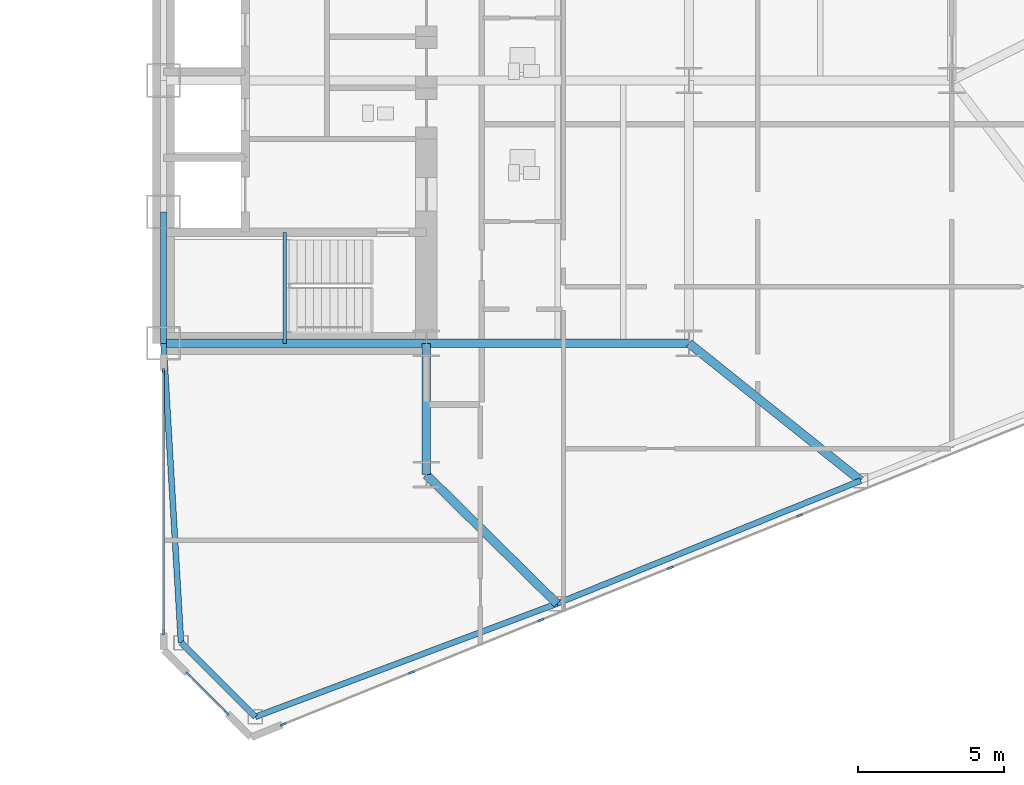
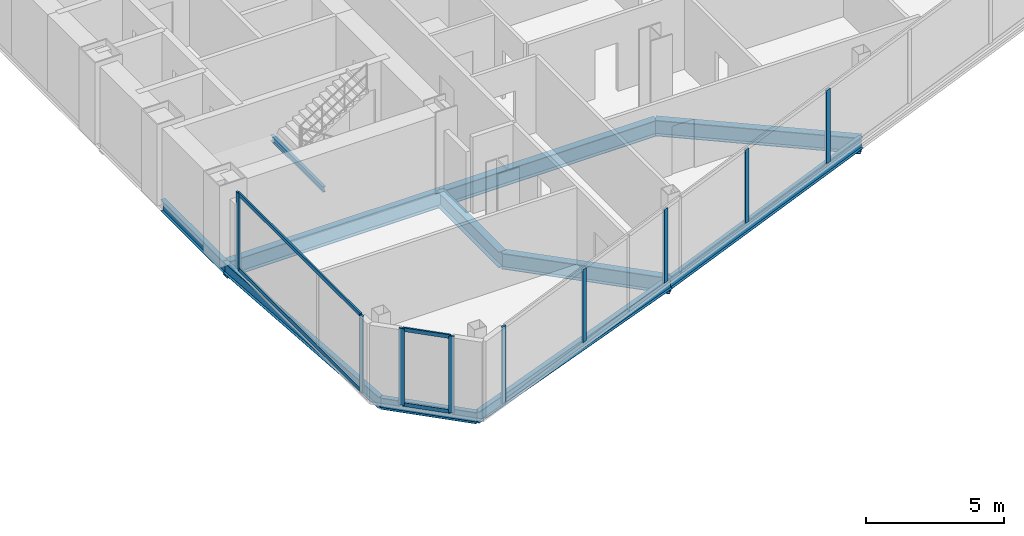
# One storey, part 9 of 25: 13 members, 11 beams, 3 elements without a shape of their own.
"""IFC4 building model written with IfcOpenShell, lengths in metres."""

from ifc_helpers import new_model, si_unit, direction, frame, origin, origin_2d, place, context, subcontext, project, spatial, rectangle, i_section, extrude, source, transform, mapped, material, layer, layer_set, material_profile, profile_set, type_object, type_shapes, element, aggregate, save


model = new_model("IFC4")

# Units and contexts
model_context = context("Model", 3, precision=1e-05, world=origin(), true_north=direction((0.0, 1.0)))
body_context = subcontext(model_context, "Body", "Model", "MODEL_VIEW")
ifc_project = project(units=[si_unit("LENGTHUNIT", "METRE"), si_unit("AREAUNIT", "SQUARE_METRE"), si_unit("VOLUMEUNIT", "CUBIC_METRE"), si_unit("PLANEANGLEUNIT", "RADIAN"), si_unit("MASSUNIT", "GRAM", prefix="KILO")], contexts=[model_context])

# Site, building, storey
site_placement = place(None, origin())
site = spatial("IfcSite", under=ifc_project, at=site_placement, CompositionType="ELEMENT")
building_placement = place(site_placement, origin())
building = spatial("IfcBuilding", under=site, at=building_placement, Name="Seokmaru Belvedere", CompositionType="ELEMENT")
storey_placement = place(building_placement, frame((0.0, 0.0, 33.300048828125)))
storey = spatial("IfcBuildingStorey", under=building, at=storey_placement, Name="L08", CompositionType="ELEMENT", Elevation=33.300048828125)

# Beams
ifc_material_1 = material(Name="Steel SM355 (355 MPa)", Category="steel")
ifc_material_profile_1 = material_profile(ifc_material_1, i_section(OverallWidth=0.199951171875, OverallDepth=0.5, WebThickness=0.010009765625, FlangeThickness=0.01611328125, at=origin_2d()), Name="H-500x200x10x16")
ifc_profile_set_1 = profile_set([ifc_material_profile_1], Name="Steel SM355 (355 MPa)")
beam_type_1 = type_object("IfcBeamType", Name="Perimeter Spandrel Beam H-500", PredefinedType="SPANDREL", material=ifc_profile_set_1)
shared_shape_1 = source(origin(), body_context, "Body", "SweptSolid", [
    extrude(i_section(OverallWidth=0.199951171875, OverallDepth=0.5, WebThickness=0.010009765625, FlangeThickness=0.01611328125, at=origin_2d()), origin(), (0.0, 0.0, 1.0), 4.5),
])
beam_1_placement = place(storey_placement, frame((27.5, -13.5, -0.469970703125), z_axis=(0.0, 1.0, 0.0), x_axis=(-1.0, 0.0, 0.0)))
element("IfcBeam", 1, at=beam_1_placement, inside=storey, type_object=beam_type_1, Name="L08 E Portal Spine Spandrel 1", PredefinedType="SPANDREL", context=body_context, shape_type="MappedRepresentation", body=[
    mapped(shared_shape_1, transform((0.0, 0.0, 0.0), scale=1.0)),
])
ifc_material_profile_2 = material_profile(ifc_material_1, i_section(OverallWidth=0.300048828125, OverallDepth=0.699951171875, WebThickness=0.012939453125, FlangeThickness=0.02392578125, at=origin_2d()), Name="H-700x300x13x24")
ifc_profile_set_2 = profile_set([ifc_material_profile_2], Name="Steel SM355 (355 MPa)")
beam_type_2 = type_object("IfcBeamType", Name="Primary Floor Girder H-700", PredefinedType="BEAM", material=ifc_profile_set_2)
shared_shape_2 = source(origin(), body_context, "Body", "SweptSolid", [
    extrude(i_section(OverallWidth=0.300048828125, OverallDepth=0.699951171875, WebThickness=0.012939453125, FlangeThickness=0.02392578125, at=origin_2d()), origin(), (0.0, 0.0, 1.0), 4.5),
])
beam_2_placement = place(storey_placement, frame((36.5, -18.0, -0.570068359375), z_axis=(0.0, 1.0, 0.0), x_axis=(-1.0, 0.0, 0.0)))
element("IfcBeam", 2, at=beam_2_placement, inside=storey, type_object=beam_type_2, Name="L08 E Core Shoulder Girder S", PredefinedType="BEAM", context=body_context, shape_type="MappedRepresentation", body=[
    mapped(shared_shape_2, transform((0.0, 0.0, 0.0), scale=1.0)),
])
shared_shape_3 = source(origin(), body_context, "Body", "SweptSolid", [
    extrude(i_section(OverallWidth=0.300048828125, OverallDepth=0.699951171875, WebThickness=0.012939453125, FlangeThickness=0.02392578125, at=origin_2d()), origin(), (0.0, 0.0, 1.0), 9.0),
])
for number, where, z_axis, x_axis, name in (
    (3, (27.5, -13.5, -0.570068359375), (1.0, 0.0, 0.0), (0.0, 1.0, 0.0), "L08 E Core Tie Girder 1"),
    (4, (36.5, -13.5, -0.570068359375), (1.0, 0.0, 0.0), (0.0, 1.0, 0.0), "L08 E Wing Primary Girder 1"),
):
    element("IfcBeam", number, at=place(storey_placement, frame(where, z_axis=z_axis, x_axis=x_axis)), inside=storey, type_object=beam_type_2, Name=name, PredefinedType="BEAM", context=body_context, shape_type="MappedRepresentation", body=[
        mapped(shared_shape_3, transform((0.0, 0.0, 0.0), scale=1.0)),
    ])
shared_shape_4 = source(origin(), body_context, "Body", "SweptSolid", [
    extrude(i_section(OverallWidth=0.199951171875, OverallDepth=0.5, WebThickness=0.010009765625, FlangeThickness=0.01611328125, at=origin_2d()), origin(), (0.0, 0.0, 1.0), 11.03857421875),
])
beam_3_placement = place(storey_placement, frame((30.643310546875, -26.294677734375, -0.469970703125), z_axis=(0.936169110734, 0.351549990907, 0.0), x_axis=(-0.351549990907, 0.936169110734, 0.0)))
element("IfcBeam", 5, at=beam_3_placement, inside=storey, type_object=beam_type_1, Name="L08 E Faceted Flank Spandrel S-1", PredefinedType="SPANDREL", context=body_context, shape_type="MappedRepresentation", body=[
    mapped(shared_shape_4, transform((0.0, 0.0, 0.0), scale=1.0)),
])
shared_shape_5 = source(origin(), body_context, "Body", "SweptSolid", [
    extrude(i_section(OverallWidth=0.199951171875, OverallDepth=0.5, WebThickness=0.010009765625, FlangeThickness=0.01611328125, at=origin_2d()), origin(), (0.0, 0.0, 1.0), 11.220703125),
])
beam_4_placement = place(storey_placement, frame((40.977294921875, -22.4140625, -0.469970703125), z_axis=(0.926944290816, 0.375198989503, 0.0), x_axis=(-0.375198989503, 0.926944290816, 0.0)))
element("IfcBeam", 6, at=beam_4_placement, inside=storey, type_object=beam_type_1, Name="L08 E Faceted Flank Spandrel S-2", PredefinedType="SPANDREL", context=body_context, shape_type="MappedRepresentation", body=[
    mapped(shared_shape_5, transform((0.0, 0.0, 0.0), scale=1.0)),
])
shared_shape_6 = source(origin(), body_context, "Body", "SweptSolid", [
    extrude(i_section(OverallWidth=0.199951171875, OverallDepth=0.5, WebThickness=0.010009765625, FlangeThickness=0.01611328125, at=origin_2d()), origin(), (0.0, 0.0, 1.0), 3.5966796875),
])
beam_5_placement = place(storey_placement, frame((30.643310546875, -26.294677734375, -0.469970703125), z_axis=(-0.707106781187, 0.707106781187, 0.0), x_axis=(-0.707106781187, -0.707106781187, 0.0)))
element("IfcBeam", 7, at=beam_5_placement, inside=storey, type_object=beam_type_1, Name="L08 E Shoulder Chamfer Spandrel S", PredefinedType="SPANDREL", context=body_context, shape_type="MappedRepresentation", body=[
    mapped(shared_shape_6, transform((0.0, 0.0, 0.0), scale=1.0)),
])
shared_shape_7 = source(origin(), body_context, "Body", "SweptSolid", [
    extrude(i_section(OverallWidth=0.199951171875, OverallDepth=0.5, WebThickness=0.010009765625, FlangeThickness=0.01611328125, at=origin_2d()), origin(), (0.0, 0.0, 1.0), 10.26904296875),
])
type_shapes(beam_type_1, [shared_shape_1, shared_shape_4, shared_shape_5, shared_shape_6, shared_shape_7])
beam_6_placement = place(storey_placement, frame((28.10009765625, -23.75146484375, -0.469970703125), z_axis=(-0.058437709399, 0.998291056817, 0.0), x_axis=(-0.998291056817, -0.058437709399, 0.0)))
element("IfcBeam", 8, at=beam_6_placement, inside=storey, type_object=beam_type_1, Name="L08 E Shoulder Spine Spandrel S", PredefinedType="SPANDREL", context=body_context, shape_type="MappedRepresentation", body=[
    mapped(shared_shape_7, transform((0.0, 0.0, 0.0), scale=1.0)),
])
shared_shape_8 = source(origin(), body_context, "Body", "SweptSolid", [
    extrude(i_section(OverallWidth=0.300048828125, OverallDepth=0.699951171875, WebThickness=0.012939453125, FlangeThickness=0.02392578125, at=origin_2d()), origin(), (0.0, 0.0, 1.0), 6.287353515625),
])
beam_7_placement = place(storey_placement, frame((40.977294921875, -22.4140625, -0.570068359375), z_axis=(-0.712117485263, 0.702060315915, 0.0), x_axis=(-0.702060315915, -0.712117485263, 0.0)))
element("IfcBeam", 9, at=beam_7_placement, inside=storey, type_object=beam_type_2, Name="L08 E Flank Radial Floor Girder S-1", PredefinedType="BEAM", context=body_context, shape_type="MappedRepresentation", body=[
    mapped(shared_shape_8, transform((0.0, 0.0, 0.0), scale=1.0)),
])
shared_shape_9 = source(origin(), body_context, "Body", "SweptSolid", [
    extrude(i_section(OverallWidth=0.300048828125, OverallDepth=0.699951171875, WebThickness=0.012939453125, FlangeThickness=0.02392578125, at=origin_2d()), origin(), (0.0, 0.0, 1.0), 7.52880859375),
])
type_shapes(beam_type_2, [shared_shape_2, shared_shape_3, shared_shape_8, shared_shape_9])
beam_8_placement = place(storey_placement, frame((51.378173828125, -18.2041015625, -0.570068359375), z_axis=(-0.780767560736, 0.624821587418, 0.0), x_axis=(-0.624821587418, -0.780767560736, 0.0)))
element("IfcBeam", 10, at=beam_8_placement, inside=storey, type_object=beam_type_2, Name="L08 E Flank Radial Floor Girder S-2", PredefinedType="BEAM", context=body_context, shape_type="MappedRepresentation", body=[
    mapped(shared_shape_9, transform((0.0, 0.0, 0.0), scale=1.0)),
])

# Curtain wall, members
ifc_material_2 = material(Name="Bronze Triple Insulating Glass", Category="glass")
ifc_layer = layer(ifc_material_2, 0.2099609375)
ifc_layer_set = layer_set([ifc_layer], Name="Bronze Triple Insulating Glass")
curtain_wall_type = type_object("IfcCurtainWallType", Name="Low-Rise Faceted Crystal Curtain Wall System CW-2", PredefinedType="NOTDEFINED", material=ifc_layer_set)
curtain_wall_1_placement = place(storey_placement, origin())
curtain_wall_1 = element("IfcCurtainWall", 11, at=curtain_wall_1_placement, inside=storey, type_object=curtain_wall_type, Name="L08 Curtain Wall ESP_1", PredefinedType="NOTDEFINED")
ifc_material_3 = material(Name="Anodised Bronze Aluminium", Category="aluminium")
ifc_material_profile_3 = material_profile(ifc_material_3, rectangle(XDim=0.070068359375, YDim=0.1650390625, at=origin_2d()), Name="CW-T-70x165")
ifc_profile_set_3 = profile_set([ifc_material_profile_3], Name="Anodised Bronze Aluminium")
member_type_1 = type_object("IfcMemberType", Name="Bronze Unitised Transom 70x165", PredefinedType="USERDEFINED", material=ifc_profile_set_3)
shared_shape_10 = source(origin(), body_context, "Body", "SweptSolid", [
    extrude(rectangle(XDim=0.070068359375, YDim=0.1650390625, at=origin_2d()), origin(), (0.0, 0.0, 1.0), 8.85009765625),
])
member_1_placement = place(storey_placement, frame((27.5, -14.5048828125, 0.034912109375), z_axis=(0.0, -1.0, 0.0), x_axis=(1.0, 0.0, 0.0)))
member_1 = element("IfcMember", 12, at=member_1_placement, type_object=member_type_1, Name="CW:L08:ESP_1 Continuous Transom 1", ObjectType="TRANSOM", PredefinedType="USERDEFINED", context=body_context, shape_type="MappedRepresentation", body=[
    mapped(shared_shape_10, transform((0.0, 0.0, 0.0), scale=1.0)),
])
member_2_placement = place(storey_placement, frame((27.5, -14.5048828125, 3.344970703125), z_axis=(0.0, -1.0, 0.0), x_axis=(1.0, 0.0, 0.0)))
member_2 = element("IfcMember", 13, at=member_2_placement, type_object=member_type_1, Name="CW:L08:ESP_1 Continuous Transom 2", ObjectType="TRANSOM", PredefinedType="USERDEFINED", context=body_context, shape_type="MappedRepresentation", body=[
    mapped(shared_shape_10, transform((0.0, 0.0, 0.0), scale=1.0)),
])

curtain_wall_2_placement = place(storey_placement, origin())
curtain_wall_2 = element("IfcCurtainWall", 14, at=curtain_wall_2_placement, inside=storey, type_object=curtain_wall_type, Name="L08 Curtain Wall EF6", PredefinedType="NOTDEFINED")
shared_shape_11 = source(origin(), body_context, "Body", "SweptSolid", [
    extrude(rectangle(XDim=0.070068359375, YDim=0.1650390625, at=origin_2d()), origin(), (0.0, 0.0, 1.0), 1.792724609375),
])
type_shapes(member_type_1, [shared_shape_10, shared_shape_11])
member_3_placement = place(storey_placement, frame((28.3662109375, -24.8662109375, 0.034912109375), z_axis=(0.707106781187, -0.707106781187, 0.0), x_axis=(0.707106781187, 0.707106781187, 0.0)))
member_3 = element("IfcMember", 15, at=member_3_placement, type_object=member_type_1, Name="CW:L08:EF6 Continuous Transom 1", ObjectType="TRANSOM", PredefinedType="USERDEFINED", context=body_context, shape_type="MappedRepresentation", body=[
    mapped(shared_shape_11, transform((0.0, 0.0, 0.0), scale=1.0)),
])
member_4_placement = place(storey_placement, frame((28.3662109375, -24.8662109375, 3.344970703125), z_axis=(0.707106781187, -0.707106781187, 0.0), x_axis=(0.707106781187, 0.707106781187, 0.0)))
member_4 = element("IfcMember", 16, at=member_4_placement, type_object=member_type_1, Name="CW:L08:EF6 Continuous Transom 2", ObjectType="TRANSOM", PredefinedType="USERDEFINED", context=body_context, shape_type="MappedRepresentation", body=[
    mapped(shared_shape_11, transform((0.0, 0.0, 0.0), scale=1.0)),
])

curtain_wall_3_placement = place(storey_placement, origin())
curtain_wall_3 = element("IfcCurtainWall", 17, at=curtain_wall_3_placement, inside=storey, type_object=curtain_wall_type, Name="L08 Curtain Wall EF1", PredefinedType="NOTDEFINED")
ifc_material_profile_4 = material_profile(ifc_material_3, rectangle(XDim=0.074951171875, YDim=0.2099609375, at=origin_2d()), Name="CW-M-75x210")
ifc_profile_set_4 = profile_set([ifc_material_profile_4], Name="Anodised Bronze Aluminium")
member_type_2 = type_object("IfcMemberType", Name="Bronze Unitised Mullion 75x210", PredefinedType="MULLION", material=ifc_profile_set_4)
shared_shape_12 = source(origin(), body_context, "Body", "SweptSolid", [
    extrude(rectangle(XDim=0.074951171875, YDim=0.2099609375, at=origin_2d()), origin(), (0.0, 0.0, 1.0), 3.239990234375),
])
member_5_placement = place(storey_placement, frame((35.995849609375, -24.775390625, 0.070068359375), z_axis=(0.0, 0.0, 1.0), x_axis=(-0.375192321888, 0.926946989637, 0.0)))
member_5 = element("IfcMember", 18, at=member_5_placement, type_object=member_type_2, Name="CW:L08:EF1 Mullion 2", PredefinedType="MULLION", context=body_context, shape_type="MappedRepresentation", body=[
    mapped(shared_shape_12, transform((0.0, 0.0, 0.0), scale=1.0)),
])
member_6_placement = place(storey_placement, frame((40.425537109375, -22.982421875, 0.070068359375), z_axis=(0.0, 0.0, 1.0), x_axis=(-0.375192321888, 0.926946989637, 0.0)))
member_6 = element("IfcMember", 19, at=member_6_placement, type_object=member_type_2, Name="CW:L08:EF1 Mullion 3", PredefinedType="MULLION", context=body_context, shape_type="MappedRepresentation", body=[
    mapped(shared_shape_12, transform((0.0, 0.0, 0.0), scale=1.0)),
])
member_7_placement = place(storey_placement, frame((44.855224609375, -21.189453125, 0.070068359375), z_axis=(0.0, 0.0, 1.0), x_axis=(-0.375192321888, 0.926946989637, 0.0)))
member_7 = element("IfcMember", 20, at=member_7_placement, type_object=member_type_2, Name="CW:L08:EF1 Mullion 4", PredefinedType="MULLION", context=body_context, shape_type="MappedRepresentation", body=[
    mapped(shared_shape_12, transform((0.0, 0.0, 0.0), scale=1.0)),
])
member_8_placement = place(storey_placement, frame((49.28515625, -19.396484375, 0.070068359375), z_axis=(0.0, 0.0, 1.0), x_axis=(-0.375192321888, 0.926946989637, 0.0)))
member_8 = element("IfcMember", 21, at=member_8_placement, type_object=member_type_2, Name="CW:L08:EF1 Mullion 5", PredefinedType="MULLION", context=body_context, shape_type="MappedRepresentation", body=[
    mapped(shared_shape_12, transform((0.0, 0.0, 0.0), scale=1.0)),
])
shared_shape_13 = source(origin(), body_context, "Body", "SweptSolid", [
    extrude(rectangle(XDim=0.074951171875, YDim=0.2099609375, at=origin_2d()), origin(), (0.0, 0.0, 1.0), 3.3798828125),
])
type_shapes(member_type_2, [shared_shape_12, shared_shape_13])
member_9_placement = place(storey_placement, frame((31.600830078125, -26.554443359375, 0.0), z_axis=(0.0, 0.0, 1.0), x_axis=(-0.375192321888, 0.926946989637, 0.0)))
member_9 = element("IfcMember", 22, at=member_9_placement, type_object=member_type_2, Name="CW:L08:EF1 Mullion 1", PredefinedType="MULLION", context=body_context, shape_type="MappedRepresentation", body=[
    mapped(shared_shape_13, transform((0.0, 0.0, 0.0), scale=1.0)),
])
aggregate(curtain_wall_3, [member_9, member_5, member_6, member_7, member_8])

# Member
member_10_placement = place(storey_placement, frame((27.5, -14.467529296875, 0.0), z_axis=(0.0, 0.0, 1.0), x_axis=(1.0, 0.0, 0.0)))
member_10 = element("IfcMember", 23, at=member_10_placement, type_object=member_type_2, Name="CW:L08:ESP_1 Mullion 1", PredefinedType="MULLION", context=body_context, shape_type="MappedRepresentation", body=[
    mapped(shared_shape_13, transform((0.0, 0.0, 0.0), scale=1.0)),
])

member_11_placement = place(storey_placement, frame((27.5, -23.392578125, 0.0), z_axis=(0.0, 0.0, 1.0), x_axis=(1.0, 0.0, 0.0)))
member_11 = element("IfcMember", 24, at=member_11_placement, type_object=member_type_2, Name="CW:L08:ESP_1 Mullion 2", PredefinedType="MULLION", context=body_context, shape_type="MappedRepresentation", body=[
    mapped(shared_shape_13, transform((0.0, 0.0, 0.0), scale=1.0)),
])

aggregate(curtain_wall_1, [member_10, member_11, member_1, member_2])

member_12_placement = place(storey_placement, frame((28.339599609375, -24.839599609375, 0.0), z_axis=(0.0, 0.0, 1.0), x_axis=(0.707106781187, 0.707106781187, 0.0)))
member_12 = element("IfcMember", 25, at=member_12_placement, type_object=member_type_2, Name="CW:L08:EF6 Mullion 1", PredefinedType="MULLION", context=body_context, shape_type="MappedRepresentation", body=[
    mapped(shared_shape_13, transform((0.0, 0.0, 0.0), scale=1.0)),
])

member_13_placement = place(storey_placement, frame((29.660400390625, -26.160400390625, 0.0), z_axis=(0.0, 0.0, 1.0), x_axis=(0.707106781187, 0.707106781187, 0.0)))
member_13 = element("IfcMember", 26, at=member_13_placement, type_object=member_type_2, Name="CW:L08:EF6 Mullion 2", PredefinedType="MULLION", context=body_context, shape_type="MappedRepresentation", body=[
    mapped(shared_shape_13, transform((0.0, 0.0, 0.0), scale=1.0)),
])

aggregate(curtain_wall_2, [member_12, member_13, member_3, member_4])

# Beam
ifc_material_profile_5 = material_profile(ifc_material_1, i_section(OverallWidth=0.125, OverallDepth=0.25, WebThickness=0.006103515625, FlangeThickness=0.009033203125, at=origin_2d()), Name="H-250x125x6x9")
ifc_profile_set_5 = profile_set([ifc_material_profile_5], Name="Steel SM355 (355 MPa)")
beam_type_3 = type_object("IfcBeamType", Name="Stair Mid-Landing Support Beam H-250", PredefinedType="JOIST", material=ifc_profile_set_5)
shared_shape_14 = source(origin(), body_context, "Body", "SweptSolid", [
    extrude(i_section(OverallWidth=0.125, OverallDepth=0.25, WebThickness=0.006103515625, FlangeThickness=0.009033203125, at=origin_2d()), origin(), (0.0, 0.0, 1.0), 3.800048828125),
])
type_shapes(beam_type_3, [shared_shape_14])
beam_9_placement = place(storey_placement, frame((31.64990234375, -13.5, 1.474853515625), z_axis=(0.0, 1.0, 0.0), x_axis=(-1.0, 0.0, 0.0)))
element("IfcBeam", 27, at=beam_9_placement, inside=storey, type_object=beam_type_3, Name="L08 Stair ST-E1 Mid-Landing Support Beam 1", PredefinedType="JOIST", context=body_context, shape_type="MappedRepresentation", body=[
    mapped(shared_shape_14, transform((0.0, 0.0, 0.0), scale=1.0)),
])

save(model, "model.ifc")
